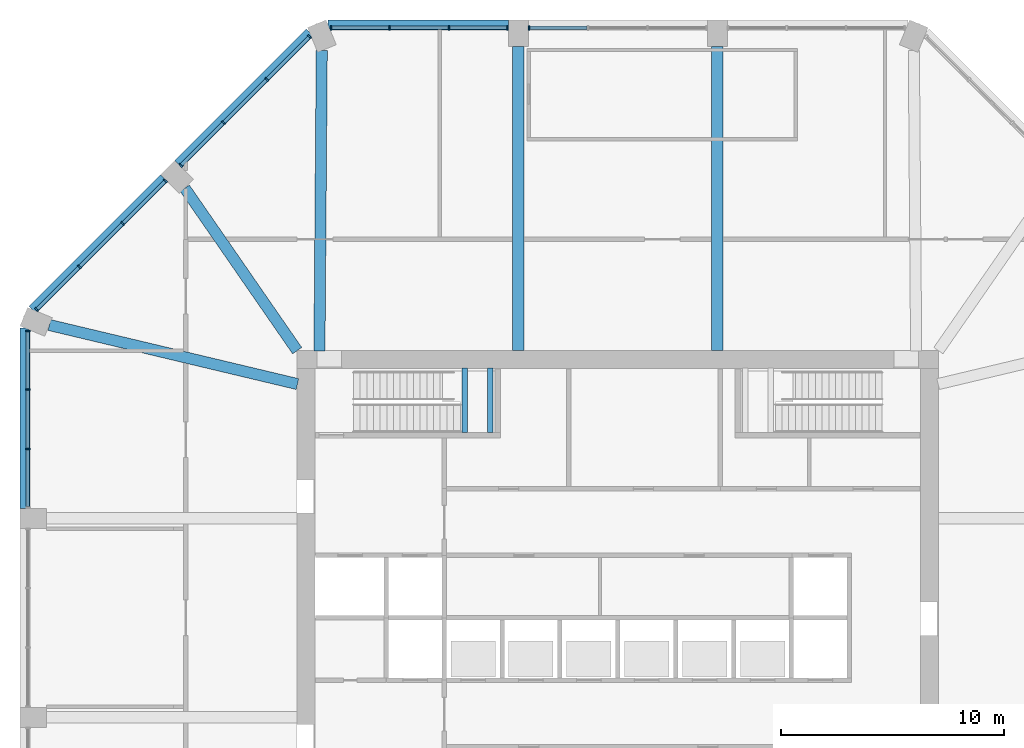
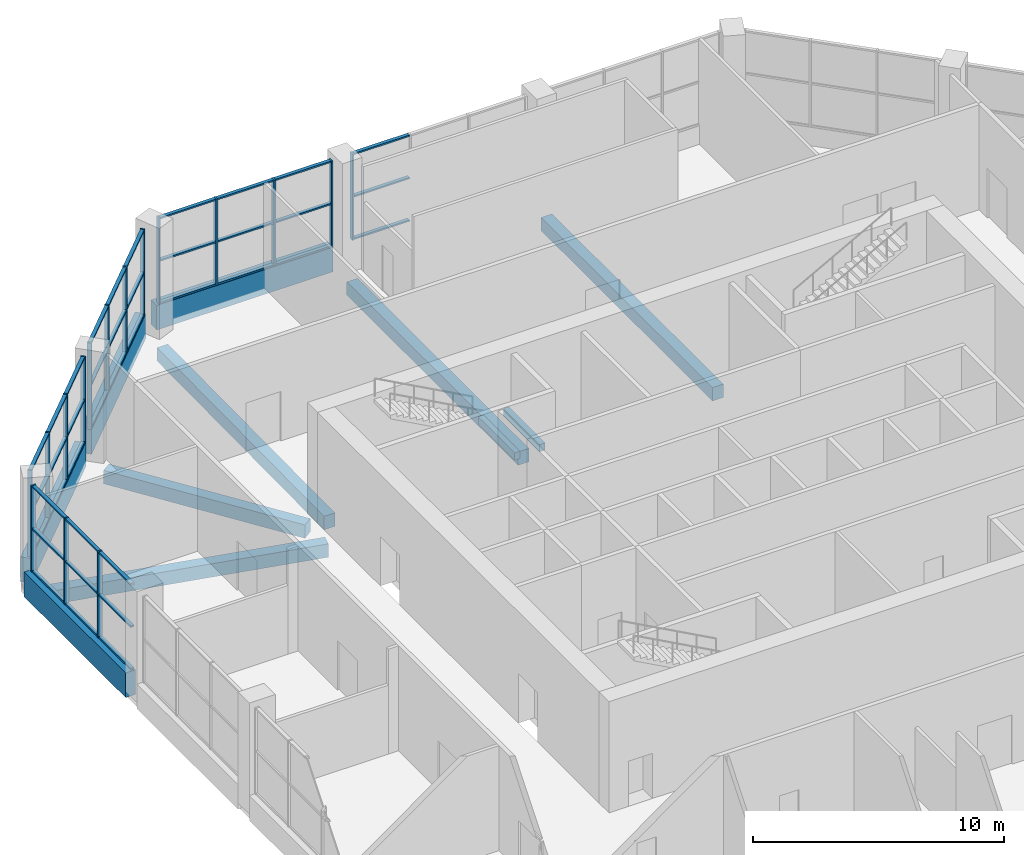
# One storey, part 6 of 16: 55 members, 11 beams, 5 elements without a shape of their own.
"""IFC4 building model written with IfcOpenShell, lengths in metres."""

from ifc_helpers import new_model, si_unit, direction, frame, origin, origin_2d, place, context, subcontext, project, spatial, rectangle, extrude, material, material_profile, profile_set, type_object, element, aggregate, save


model = new_model("IFC4")

# Units and contexts
model_context = context("Model", 3, precision=1e-05, world=origin(), true_north=direction((0.0, 1.0)))
body_context = subcontext(model_context, "Body", "Model", "MODEL_VIEW")
ifc_project = project(units=[si_unit("LENGTHUNIT", "METRE"), si_unit("AREAUNIT", "SQUARE_METRE"), si_unit("VOLUMEUNIT", "CUBIC_METRE"), si_unit("PLANEANGLEUNIT", "RADIAN"), si_unit("MASSUNIT", "GRAM", prefix="KILO")], contexts=[model_context])

# Site, building, storey
site_placement = place(None, origin())
site = spatial("IfcSite", under=ifc_project, at=site_placement, CompositionType="ELEMENT")
building_placement = place(site_placement, origin())
building = spatial("IfcBuilding", under=site, at=building_placement, Name="Msitu Wima Residences", CompositionType="ELEMENT")
storey_placement = place(building_placement, frame((0.0, 0.0, 156.89990234375)))
storey = spatial("IfcBuildingStorey", under=building, at=storey_placement, Name="L36", CompositionType="ELEMENT", Elevation=156.89990234375)

# Beams
ifc_material_1 = material(Name="Concrete C50/60", Category="concrete")
ifc_material_profile_1 = material_profile(ifc_material_1, rectangle(XDim=0.5, YDim=0.64990234375, at=origin_2d()), Name="RC 500x650")
ifc_profile_set_1 = profile_set([ifc_material_profile_1], Name="Concrete C50/60")
beam_type_1 = type_object("IfcBeamType", Name="Beam RC 500x650 Concrete C50/60", PredefinedType="BEAM", material=ifc_profile_set_1)
for number, where, z_axis, x_axis, name in (
    (1, (4.46875, 25.64990234375, -0.724853515625), (0.0, -1.0, 0.0), (1.0, 0.0, 0.0), "Beam L36 C-N1"),
    (2, (-4.46875, 25.64990234375, -0.724853515625), (0.0, -1.0, 0.0), (1.0, 0.0, 0.0), "Beam L36 C-N2"),
):
    element("IfcBeam", number, at=place(storey_placement, frame(where, z_axis=z_axis, x_axis=x_axis)), inside=storey, type_object=beam_type_1, Name=name, PredefinedType="BEAM", context=body_context, shape_type="SweptSolid", body=[
        extrude(rectangle(XDim=0.5, YDim=0.64990234375, at=origin_2d()), origin(), (0.0, 0.0, 1.0), 13.64990234375),
    ])
beam_1_placement = place(storey_placement, frame((-13.29638671875, 25.471923828125, -0.724853515625), z_axis=(-0.007694865426, -0.999970394085, 0.0), x_axis=(0.999970394085, -0.007694865426, 0.0)))
element("IfcBeam", 3, at=beam_1_placement, inside=storey, type_object=beam_type_1, Name="Beam L36 C-NW0", PredefinedType="BEAM", context=body_context, shape_type="SweptSolid", body=[
    extrude(rectangle(XDim=0.5, YDim=0.64990234375, at=origin_2d()), origin(), (0.0, 0.0, 1.0), 13.484375),
])
beam_2_placement = place(storey_placement, frame((-19.44970703125, 19.29541015625, -0.724853515625), z_axis=(0.569144158363, -0.822237755763, 0.0), x_axis=(0.822237755763, 0.569144158363, 0.0)))
element("IfcBeam", 4, at=beam_2_placement, inside=storey, type_object=beam_type_1, Name="Beam L36 C-NW1", PredefinedType="BEAM", context=body_context, shape_type="SweptSolid", body=[
    extrude(rectangle(XDim=0.5, YDim=0.64990234375, at=origin_2d()), origin(), (0.0, 0.0, 1.0), 8.87255859375),
])
beam_3_placement = place(storey_placement, frame((-25.5322265625, 13.150634765625, -0.724853515625), z_axis=(0.972805528659, -0.231623408598, 0.0), x_axis=(0.231623408598, 0.972805528659, 0.0)))
element("IfcBeam", 5, at=beam_3_placement, inside=storey, type_object=beam_type_1, Name="Beam L36 C-W0", PredefinedType="BEAM", context=body_context, shape_type="SweptSolid", body=[
    extrude(rectangle(XDim=0.5, YDim=0.64990234375, at=origin_2d()), origin(), (0.0, 0.0, 1.0), 11.455322265625),
])
ifc_material_2 = material(Name="Concrete C40/50", Category="concrete")
ifc_material_profile_2 = material_profile(ifc_material_2, rectangle(XDim=0.25, YDim=0.35009765625, at=origin_2d()), Name="RC 250x350")
ifc_profile_set_2 = profile_set([ifc_material_profile_2], Name="Concrete C40/50")
beam_type_2 = type_object("IfcBeamType", Name="Landing beam RC 250x350", PredefinedType="BEAM", material=ifc_profile_set_2)
for number, where, z_axis, x_axis, name in (
    (6, (-6.875, 8.324951171875, 2.406982421875), (0.0, 1.0, 0.0), (-1.0, 0.0, 0.0), "Stair 1 landing beam"),
    (7, (-5.72509765625, 8.324951171875, 2.406982421875), (0.0, 1.0, 0.0), (-1.0, 0.0, 0.0), "Stair 1 landing beam"),
):
    element("IfcBeam", number, at=place(storey_placement, frame(where, z_axis=z_axis, x_axis=x_axis)), inside=storey, type_object=beam_type_2, Name=name, PredefinedType="BEAM", context=body_context, shape_type="SweptSolid", body=[
        extrude(rectangle(XDim=0.25, YDim=0.35009765625, at=origin_2d()), origin(), (0.0, 0.0, 1.0), 2.900146484375),
    ])

# Curtain wall, member
ifc_material_3 = material(Name="Anodised aluminium, bronze finish, solar control laminated double glazing", Category="aluminium")
curtain_wall_type = type_object("IfcCurtainWallType", Name="Curtain wall CW2 sky amenity wall", PredefinedType="NOTDEFINED", material=ifc_material_3)
curtain_wall_1_placement = place(storey_placement, origin())
curtain_wall_1 = element("IfcCurtainWall", 8, at=curtain_wall_1_placement, inside=storey, type_object=curtain_wall_type, Name="Curtain wall CW2 L36 N1", PredefinedType="NOTDEFINED")
ifc_material_4 = material(Name="Anodised aluminium, bronze finish", Category="aluminium")
ifc_material_profile_3 = material_profile(ifc_material_4, rectangle(XDim=0.199951171875, YDim=0.074951171875, at=origin_2d()), Name="Mullion 75x200")
ifc_profile_set_3 = profile_set([ifc_material_profile_3], Name="Anodised aluminium, bronze finish")
member_type_1 = type_object("IfcMemberType", Name="Mullion CW2 75x200", PredefinedType="MULLION", material=ifc_profile_set_3)
member_1_placement = place(storey_placement, frame((-3.981201171875, 26.5, 0.900146484375), z_axis=(0.0, 0.0, 1.0), x_axis=(0.0, -1.0, 0.0)))
member_1 = element("IfcMember", 9, at=member_1_placement, type_object=member_type_1, Name="CW2 mullion 4", PredefinedType="MULLION", context=body_context, shape_type="SweptSolid", body=[
    extrude(rectangle(XDim=0.199951171875, YDim=0.074951171875, at=origin_2d()), origin(), (0.0, 0.0, 1.0), 4.199951171875),
])

# Curtain wall, members
curtain_wall_2_placement = place(storey_placement, origin())
curtain_wall_2 = element("IfcCurtainWall", 10, at=curtain_wall_2_placement, inside=storey, type_object=curtain_wall_type, Name="Curtain wall CW2 L36 N2", PredefinedType="NOTDEFINED")
member_2_placement = place(storey_placement, frame((-4.9560546875, 26.5, 0.900146484375), z_axis=(0.0, 0.0, 1.0), x_axis=(0.0, -1.0, 0.0)))
member_2 = element("IfcMember", 11, at=member_2_placement, type_object=member_type_1, Name="CW2 mullion 1", PredefinedType="MULLION", context=body_context, shape_type="SweptSolid", body=[
    extrude(rectangle(XDim=0.199951171875, YDim=0.074951171875, at=origin_2d()), origin(), (0.0, 0.0, 1.0), 4.199951171875),
])
member_3_placement = place(storey_placement, frame((-7.58544921875, 26.5, 0.900146484375), z_axis=(0.0, 0.0, 1.0), x_axis=(0.0, -1.0, 0.0)))
member_3 = element("IfcMember", 12, at=member_3_placement, type_object=member_type_1, Name="CW2 mullion 2", PredefinedType="MULLION", context=body_context, shape_type="SweptSolid", body=[
    extrude(rectangle(XDim=0.199951171875, YDim=0.074951171875, at=origin_2d()), origin(), (0.0, 0.0, 1.0), 4.199951171875),
])
member_4_placement = place(storey_placement, frame((-10.252197265625, 26.5, 0.900146484375), z_axis=(0.0, 0.0, 1.0), x_axis=(0.0, -1.0, 0.0)))
member_4 = element("IfcMember", 13, at=member_4_placement, type_object=member_type_1, Name="CW2 mullion 3", PredefinedType="MULLION", context=body_context, shape_type="SweptSolid", body=[
    extrude(rectangle(XDim=0.199951171875, YDim=0.074951171875, at=origin_2d()), origin(), (0.0, 0.0, 1.0), 4.199951171875),
])
member_5_placement = place(storey_placement, frame((-12.88134765625, 26.5, 0.900146484375), z_axis=(0.0, 0.0, 1.0), x_axis=(0.0, -1.0, 0.0)))
member_5 = element("IfcMember", 14, at=member_5_placement, type_object=member_type_1, Name="CW2 mullion 4", PredefinedType="MULLION", context=body_context, shape_type="SweptSolid", body=[
    extrude(rectangle(XDim=0.199951171875, YDim=0.074951171875, at=origin_2d()), origin(), (0.0, 0.0, 1.0), 4.199951171875),
])

curtain_wall_3_placement = place(storey_placement, origin())
curtain_wall_3 = element("IfcCurtainWall", 15, at=curtain_wall_3_placement, inside=storey, type_object=curtain_wall_type, Name="Curtain wall CW2 L36 NW0", PredefinedType="NOTDEFINED")
member_6_placement = place(storey_placement, frame((-13.847412109375, 26.099853515625, 0.900146484375), z_axis=(0.0, 0.0, 1.0), x_axis=(0.707106720591, -0.707106841783, 0.0)))
member_6 = element("IfcMember", 16, at=member_6_placement, type_object=member_type_1, Name="CW2 mullion 1", PredefinedType="MULLION", context=body_context, shape_type="SweptSolid", body=[
    extrude(rectangle(XDim=0.199951171875, YDim=0.074951171875, at=origin_2d()), origin(), (0.0, 0.0, 1.0), 4.199951171875),
])
member_7_placement = place(storey_placement, frame((-15.765869140625, 24.181396484375, 0.900146484375), z_axis=(0.0, 0.0, 1.0), x_axis=(0.707106720591, -0.707106841783, 0.0)))
member_7 = element("IfcMember", 17, at=member_7_placement, type_object=member_type_1, Name="CW2 mullion 2", PredefinedType="MULLION", context=body_context, shape_type="SweptSolid", body=[
    extrude(rectangle(XDim=0.199951171875, YDim=0.074951171875, at=origin_2d()), origin(), (0.0, 0.0, 1.0), 4.199951171875),
])
member_8_placement = place(storey_placement, frame((-17.710693359375, 22.236572265625, 0.900146484375), z_axis=(0.0, 0.0, 1.0), x_axis=(0.707106720591, -0.707106841783, 0.0)))
member_8 = element("IfcMember", 18, at=member_8_placement, type_object=member_type_1, Name="CW2 mullion 3", PredefinedType="MULLION", context=body_context, shape_type="SweptSolid", body=[
    extrude(rectangle(XDim=0.199951171875, YDim=0.074951171875, at=origin_2d()), origin(), (0.0, 0.0, 1.0), 4.199951171875),
])
member_9_placement = place(storey_placement, frame((-19.62890625, 20.318359375, 0.900146484375), z_axis=(0.0, 0.0, 1.0), x_axis=(0.707106720591, -0.707106841783, 0.0)))
member_9 = element("IfcMember", 19, at=member_9_placement, type_object=member_type_1, Name="CW2 mullion 4", PredefinedType="MULLION", context=body_context, shape_type="SweptSolid", body=[
    extrude(rectangle(XDim=0.199951171875, YDim=0.074951171875, at=origin_2d()), origin(), (0.0, 0.0, 1.0), 4.199951171875),
])

curtain_wall_4_placement = place(storey_placement, origin())
curtain_wall_4 = element("IfcCurtainWall", 20, at=curtain_wall_4_placement, inside=storey, type_object=curtain_wall_type, Name="Curtain wall CW2 L36 NW1", PredefinedType="NOTDEFINED")
member_10_placement = place(storey_placement, frame((-20.318359375, 19.62890625, 0.900146484375), z_axis=(0.0, 0.0, 1.0), x_axis=(0.707106781187, -0.707106781187, 0.0)))
member_10 = element("IfcMember", 21, at=member_10_placement, type_object=member_type_1, Name="CW2 mullion 1", PredefinedType="MULLION", context=body_context, shape_type="SweptSolid", body=[
    extrude(rectangle(XDim=0.199951171875, YDim=0.074951171875, at=origin_2d()), origin(), (0.0, 0.0, 1.0), 4.199951171875),
])
member_11_placement = place(storey_placement, frame((-22.236572265625, 17.710693359375, 0.900146484375), z_axis=(0.0, 0.0, 1.0), x_axis=(0.707106781187, -0.707106781187, 0.0)))
member_11 = element("IfcMember", 22, at=member_11_placement, type_object=member_type_1, Name="CW2 mullion 2", PredefinedType="MULLION", context=body_context, shape_type="SweptSolid", body=[
    extrude(rectangle(XDim=0.199951171875, YDim=0.074951171875, at=origin_2d()), origin(), (0.0, 0.0, 1.0), 4.199951171875),
])
member_12_placement = place(storey_placement, frame((-24.181396484375, 15.765869140625, 0.900146484375), z_axis=(0.0, 0.0, 1.0), x_axis=(0.707106781187, -0.707106781187, 0.0)))
member_12 = element("IfcMember", 23, at=member_12_placement, type_object=member_type_1, Name="CW2 mullion 3", PredefinedType="MULLION", context=body_context, shape_type="SweptSolid", body=[
    extrude(rectangle(XDim=0.199951171875, YDim=0.074951171875, at=origin_2d()), origin(), (0.0, 0.0, 1.0), 4.199951171875),
])
member_13_placement = place(storey_placement, frame((-26.099853515625, 13.847412109375, 0.900146484375), z_axis=(0.0, 0.0, 1.0), x_axis=(0.707106781187, -0.707106781187, 0.0)))
member_13 = element("IfcMember", 24, at=member_13_placement, type_object=member_type_1, Name="CW2 mullion 4", PredefinedType="MULLION", context=body_context, shape_type="SweptSolid", body=[
    extrude(rectangle(XDim=0.199951171875, YDim=0.074951171875, at=origin_2d()), origin(), (0.0, 0.0, 1.0), 4.199951171875),
])

curtain_wall_5_placement = place(storey_placement, origin())
curtain_wall_5 = element("IfcCurtainWall", 25, at=curtain_wall_5_placement, inside=storey, type_object=curtain_wall_type, Name="Curtain wall CW2 L36 W0", PredefinedType="NOTDEFINED")
member_14_placement = place(storey_placement, frame((-26.5, 12.88134765625, 0.900146484375), z_axis=(0.0, 0.0, 1.0), x_axis=(1.0, 0.0, 0.0)))
member_14 = element("IfcMember", 26, at=member_14_placement, type_object=member_type_1, Name="CW2 mullion 1", PredefinedType="MULLION", context=body_context, shape_type="SweptSolid", body=[
    extrude(rectangle(XDim=0.199951171875, YDim=0.074951171875, at=origin_2d()), origin(), (0.0, 0.0, 1.0), 4.199951171875),
])
member_15_placement = place(storey_placement, frame((-26.5, 10.252197265625, 0.900146484375), z_axis=(0.0, 0.0, 1.0), x_axis=(1.0, 0.0, 0.0)))
member_15 = element("IfcMember", 27, at=member_15_placement, type_object=member_type_1, Name="CW2 mullion 2", PredefinedType="MULLION", context=body_context, shape_type="SweptSolid", body=[
    extrude(rectangle(XDim=0.199951171875, YDim=0.074951171875, at=origin_2d()), origin(), (0.0, 0.0, 1.0), 4.199951171875),
])
member_16_placement = place(storey_placement, frame((-26.5, 7.58544921875, 0.900146484375), z_axis=(0.0, 0.0, 1.0), x_axis=(1.0, 0.0, 0.0)))
member_16 = element("IfcMember", 28, at=member_16_placement, type_object=member_type_1, Name="CW2 mullion 3", PredefinedType="MULLION", context=body_context, shape_type="SweptSolid", body=[
    extrude(rectangle(XDim=0.199951171875, YDim=0.074951171875, at=origin_2d()), origin(), (0.0, 0.0, 1.0), 4.199951171875),
])

# Beams
ifc_material_profile_4 = material_profile(ifc_material_1, rectangle(XDim=0.449951171875, YDim=1.199951171875, at=origin_2d()), Name="RC 450x1200")
ifc_profile_set_4 = profile_set([ifc_material_profile_4], Name="Concrete C50/60")
beam_type_3 = type_object("IfcBeamType", Name="Spandrel RC 450x1200 Concrete C50/60", PredefinedType="SPANDREL", material=ifc_profile_set_4)
beam_4_placement = place(storey_placement, frame((-4.918701171875, 26.625, 0.300048828125), z_axis=(-1.0, 0.0, 0.0), x_axis=(0.0, -1.0, 0.0)))
element("IfcBeam", 29, at=beam_4_placement, inside=storey, type_object=beam_type_3, Name="Spandrel L36 N2", PredefinedType="SPANDREL", context=body_context, shape_type="SweptSolid", body=[
    extrude(rectangle(XDim=0.449951171875, YDim=1.199951171875, at=origin_2d()), origin(), (0.0, 0.0, 1.0), 8.105224609375),
])
for number, where, z_axis, x_axis, name in (
    (30, (-13.8349609375, 26.2890625, 0.300048828125), (-0.707106781187, -0.707106781187, 0.0), (0.707106781187, -0.707106781187, 0.0), "Spandrel L36 NW0"),
    (31, (-20.380126953125, 19.743896484375, 0.300048828125), (-0.707106781187, -0.707106781187, 0.0), (0.707106781187, -0.707106781187, 0.0), "Spandrel L36 NW1"),
):
    element("IfcBeam", number, at=place(storey_placement, frame(where, z_axis=z_axis, x_axis=x_axis)), inside=storey, type_object=beam_type_3, Name=name, PredefinedType="SPANDREL", context=body_context, shape_type="SweptSolid", body=[
        extrude(rectangle(XDim=0.449951171875, YDim=1.199951171875, at=origin_2d()), origin(), (0.0, 0.0, 1.0), 8.3564453125),
    ])
beam_5_placement = place(storey_placement, frame((-26.625, 13.02392578125, 0.300048828125), z_axis=(0.0, -1.0, 0.0), x_axis=(1.0, 0.0, 0.0)))
element("IfcBeam", 32, at=beam_5_placement, inside=storey, type_object=beam_type_3, Name="Spandrel L36 W0", PredefinedType="SPANDREL", context=body_context, shape_type="SweptSolid", body=[
    extrude(rectangle(XDim=0.449951171875, YDim=1.199951171875, at=origin_2d()), origin(), (0.0, 0.0, 1.0), 8.105224609375),
])

# Member
ifc_material_profile_5 = material_profile(ifc_material_4, rectangle(XDim=0.159912109375, YDim=0.074951171875, at=origin_2d()), Name="Transom 75x160")
ifc_profile_set_5 = profile_set([ifc_material_profile_5], Name="Anodised aluminium, bronze finish")
member_type_2 = type_object("IfcMemberType", Name="Transom CW2 75x160", PredefinedType="USERDEFINED", material=ifc_profile_set_5)
member_17_placement = place(storey_placement, frame((-1.376953125, 26.5, 0.9375), z_axis=(-1.0, 0.0, 0.0), x_axis=(0.0, -1.0, 0.0)))
member_17 = element("IfcMember", 33, at=member_17_placement, type_object=member_type_2, Name="CW2 transom 3.1", ObjectType="TRANSOM", PredefinedType="USERDEFINED", context=body_context, shape_type="SweptSolid", body=[
    extrude(rectangle(XDim=0.159912109375, YDim=0.074951171875, at=origin_2d()), origin(), (0.0, 0.0, 1.0), 2.566650390625),
])

member_18_placement = place(storey_placement, frame((-1.376953125, 26.5, 3.0), z_axis=(-1.0, 0.0, 0.0), x_axis=(0.0, -1.0, 0.0)))
member_18 = element("IfcMember", 34, at=member_18_placement, type_object=member_type_2, Name="CW2 transom 3.2", ObjectType="TRANSOM", PredefinedType="USERDEFINED", context=body_context, shape_type="SweptSolid", body=[
    extrude(rectangle(XDim=0.159912109375, YDim=0.074951171875, at=origin_2d()), origin(), (0.0, 0.0, 1.0), 2.566650390625),
])

member_19_placement = place(storey_placement, frame((-1.376953125, 26.5, 5.0625), z_axis=(-1.0, 0.0, 0.0), x_axis=(0.0, -1.0, 0.0)))
member_19 = element("IfcMember", 35, at=member_19_placement, type_object=member_type_2, Name="CW2 transom 3.3", ObjectType="TRANSOM", PredefinedType="USERDEFINED", context=body_context, shape_type="SweptSolid", body=[
    extrude(rectangle(XDim=0.159912109375, YDim=0.074951171875, at=origin_2d()), origin(), (0.0, 0.0, 1.0), 2.566650390625),
])

aggregate(curtain_wall_1, [member_1, member_17, member_18, member_19])

member_20_placement = place(storey_placement, frame((-4.99365234375, 26.5, 0.9375), z_axis=(-1.0, 0.0, 0.0), x_axis=(0.0, -1.0, 0.0)))
member_20 = element("IfcMember", 36, at=member_20_placement, type_object=member_type_2, Name="CW2 transom 1.1", ObjectType="TRANSOM", PredefinedType="USERDEFINED", context=body_context, shape_type="SweptSolid", body=[
    extrude(rectangle(XDim=0.159912109375, YDim=0.074951171875, at=origin_2d()), origin(), (0.0, 0.0, 1.0), 2.55419921875),
])

member_21_placement = place(storey_placement, frame((-4.99365234375, 26.5, 3.0), z_axis=(-1.0, 0.0, 0.0), x_axis=(0.0, -1.0, 0.0)))
member_21 = element("IfcMember", 37, at=member_21_placement, type_object=member_type_2, Name="CW2 transom 1.2", ObjectType="TRANSOM", PredefinedType="USERDEFINED", context=body_context, shape_type="SweptSolid", body=[
    extrude(rectangle(XDim=0.159912109375, YDim=0.074951171875, at=origin_2d()), origin(), (0.0, 0.0, 1.0), 2.55419921875),
])

member_22_placement = place(storey_placement, frame((-4.99365234375, 26.5, 5.0625), z_axis=(-1.0, 0.0, 0.0), x_axis=(0.0, -1.0, 0.0)))
member_22 = element("IfcMember", 38, at=member_22_placement, type_object=member_type_2, Name="CW2 transom 1.3", ObjectType="TRANSOM", PredefinedType="USERDEFINED", context=body_context, shape_type="SweptSolid", body=[
    extrude(rectangle(XDim=0.159912109375, YDim=0.074951171875, at=origin_2d()), origin(), (0.0, 0.0, 1.0), 2.55419921875),
])

member_23_placement = place(storey_placement, frame((-7.622802734375, 26.5, 0.9375), z_axis=(-1.0, 0.0, 0.0), x_axis=(0.0, -1.0, 0.0)))
member_23 = element("IfcMember", 39, at=member_23_placement, type_object=member_type_2, Name="CW2 transom 2.1", ObjectType="TRANSOM", PredefinedType="USERDEFINED", context=body_context, shape_type="SweptSolid", body=[
    extrude(rectangle(XDim=0.159912109375, YDim=0.074951171875, at=origin_2d()), origin(), (0.0, 0.0, 1.0), 2.591796875),
])

member_24_placement = place(storey_placement, frame((-7.622802734375, 26.5, 3.0), z_axis=(-1.0, 0.0, 0.0), x_axis=(0.0, -1.0, 0.0)))
member_24 = element("IfcMember", 40, at=member_24_placement, type_object=member_type_2, Name="CW2 transom 2.2", ObjectType="TRANSOM", PredefinedType="USERDEFINED", context=body_context, shape_type="SweptSolid", body=[
    extrude(rectangle(XDim=0.159912109375, YDim=0.074951171875, at=origin_2d()), origin(), (0.0, 0.0, 1.0), 2.591796875),
])

member_25_placement = place(storey_placement, frame((-7.622802734375, 26.5, 5.0625), z_axis=(-1.0, 0.0, 0.0), x_axis=(0.0, -1.0, 0.0)))
member_25 = element("IfcMember", 41, at=member_25_placement, type_object=member_type_2, Name="CW2 transom 2.3", ObjectType="TRANSOM", PredefinedType="USERDEFINED", context=body_context, shape_type="SweptSolid", body=[
    extrude(rectangle(XDim=0.159912109375, YDim=0.074951171875, at=origin_2d()), origin(), (0.0, 0.0, 1.0), 2.591796875),
])

member_26_placement = place(storey_placement, frame((-10.28955078125, 26.5, 0.9375), z_axis=(-1.0, 0.0, 0.0), x_axis=(0.0, -1.0, 0.0)))
member_26 = element("IfcMember", 42, at=member_26_placement, type_object=member_type_2, Name="CW2 transom 3.1", ObjectType="TRANSOM", PredefinedType="USERDEFINED", context=body_context, shape_type="SweptSolid", body=[
    extrude(rectangle(XDim=0.159912109375, YDim=0.074951171875, at=origin_2d()), origin(), (0.0, 0.0, 1.0), 2.55419921875),
])

member_27_placement = place(storey_placement, frame((-10.28955078125, 26.5, 3.0), z_axis=(-1.0, 0.0, 0.0), x_axis=(0.0, -1.0, 0.0)))
member_27 = element("IfcMember", 43, at=member_27_placement, type_object=member_type_2, Name="CW2 transom 3.2", ObjectType="TRANSOM", PredefinedType="USERDEFINED", context=body_context, shape_type="SweptSolid", body=[
    extrude(rectangle(XDim=0.159912109375, YDim=0.074951171875, at=origin_2d()), origin(), (0.0, 0.0, 1.0), 2.55419921875),
])

member_28_placement = place(storey_placement, frame((-10.28955078125, 26.5, 5.0625), z_axis=(-1.0, 0.0, 0.0), x_axis=(0.0, -1.0, 0.0)))
member_28 = element("IfcMember", 44, at=member_28_placement, type_object=member_type_2, Name="CW2 transom 3.3", ObjectType="TRANSOM", PredefinedType="USERDEFINED", context=body_context, shape_type="SweptSolid", body=[
    extrude(rectangle(XDim=0.159912109375, YDim=0.074951171875, at=origin_2d()), origin(), (0.0, 0.0, 1.0), 2.55419921875),
])

aggregate(curtain_wall_2, [member_2, member_3, member_4, member_5, member_20, member_21, member_22, member_23, member_24, member_25, member_26, member_27, member_28])

member_29_placement = place(storey_placement, frame((-13.8740234375, 26.0732421875, 0.9375), z_axis=(-0.707106781187, -0.707106781187, 0.0), x_axis=(0.707106781187, -0.707106781187, 0.0)))
member_29 = element("IfcMember", 45, at=member_29_placement, type_object=member_type_2, Name="CW2 transom 1.1", ObjectType="TRANSOM", PredefinedType="USERDEFINED", context=body_context, shape_type="SweptSolid", body=[
    extrude(rectangle(XDim=0.159912109375, YDim=0.074951171875, at=origin_2d()), origin(), (0.0, 0.0, 1.0), 2.637939453125),
])

member_30_placement = place(storey_placement, frame((-13.8740234375, 26.0732421875, 3.0), z_axis=(-0.707106781187, -0.707106781187, 0.0), x_axis=(0.707106781187, -0.707106781187, 0.0)))
member_30 = element("IfcMember", 46, at=member_30_placement, type_object=member_type_2, Name="CW2 transom 1.2", ObjectType="TRANSOM", PredefinedType="USERDEFINED", context=body_context, shape_type="SweptSolid", body=[
    extrude(rectangle(XDim=0.159912109375, YDim=0.074951171875, at=origin_2d()), origin(), (0.0, 0.0, 1.0), 2.637939453125),
])

member_31_placement = place(storey_placement, frame((-13.8740234375, 26.0732421875, 5.0625), z_axis=(-0.707106781187, -0.707106781187, 0.0), x_axis=(0.707106781187, -0.707106781187, 0.0)))
member_31 = element("IfcMember", 47, at=member_31_placement, type_object=member_type_2, Name="CW2 transom 1.3", ObjectType="TRANSOM", PredefinedType="USERDEFINED", context=body_context, shape_type="SweptSolid", body=[
    extrude(rectangle(XDim=0.159912109375, YDim=0.074951171875, at=origin_2d()), origin(), (0.0, 0.0, 1.0), 2.637939453125),
])

member_32_placement = place(storey_placement, frame((-15.792236328125, 24.155029296875, 0.9375), z_axis=(-0.707106781187, -0.707106781187, 0.0), x_axis=(0.707106781187, -0.707106781187, 0.0)))
member_32 = element("IfcMember", 48, at=member_32_placement, type_object=member_type_2, Name="CW2 transom 2.1", ObjectType="TRANSOM", PredefinedType="USERDEFINED", context=body_context, shape_type="SweptSolid", body=[
    extrude(rectangle(XDim=0.159912109375, YDim=0.074951171875, at=origin_2d()), origin(), (0.0, 0.0, 1.0), 2.675537109375),
])

member_33_placement = place(storey_placement, frame((-15.792236328125, 24.155029296875, 3.0), z_axis=(-0.707106781187, -0.707106781187, 0.0), x_axis=(0.707106781187, -0.707106781187, 0.0)))
member_33 = element("IfcMember", 49, at=member_33_placement, type_object=member_type_2, Name="CW2 transom 2.2", ObjectType="TRANSOM", PredefinedType="USERDEFINED", context=body_context, shape_type="SweptSolid", body=[
    extrude(rectangle(XDim=0.159912109375, YDim=0.074951171875, at=origin_2d()), origin(), (0.0, 0.0, 1.0), 2.675537109375),
])

member_34_placement = place(storey_placement, frame((-15.792236328125, 24.155029296875, 5.0625), z_axis=(-0.707106781187, -0.707106781187, 0.0), x_axis=(0.707106781187, -0.707106781187, 0.0)))
member_34 = element("IfcMember", 50, at=member_34_placement, type_object=member_type_2, Name="CW2 transom 2.3", ObjectType="TRANSOM", PredefinedType="USERDEFINED", context=body_context, shape_type="SweptSolid", body=[
    extrude(rectangle(XDim=0.159912109375, YDim=0.074951171875, at=origin_2d()), origin(), (0.0, 0.0, 1.0), 2.675537109375),
])

member_35_placement = place(storey_placement, frame((-17.737060546875, 22.210205078125, 0.9375), z_axis=(-0.707153053266, -0.707060506079, 0.0), x_axis=(0.707060506079, -0.707153053266, 0.0)))
member_35 = element("IfcMember", 51, at=member_35_placement, type_object=member_type_2, Name="CW2 transom 3.1", ObjectType="TRANSOM", PredefinedType="USERDEFINED", context=body_context, shape_type="SweptSolid", body=[
    extrude(rectangle(XDim=0.159912109375, YDim=0.074951171875, at=origin_2d()), origin(), (0.0, 0.0, 1.0), 2.637939453125),
])

member_36_placement = place(storey_placement, frame((-17.737060546875, 22.210205078125, 3.0), z_axis=(-0.707153053266, -0.707060506079, 0.0), x_axis=(0.707060506079, -0.707153053266, 0.0)))
member_36 = element("IfcMember", 52, at=member_36_placement, type_object=member_type_2, Name="CW2 transom 3.2", ObjectType="TRANSOM", PredefinedType="USERDEFINED", context=body_context, shape_type="SweptSolid", body=[
    extrude(rectangle(XDim=0.159912109375, YDim=0.074951171875, at=origin_2d()), origin(), (0.0, 0.0, 1.0), 2.637939453125),
])

member_37_placement = place(storey_placement, frame((-17.737060546875, 22.210205078125, 5.0625), z_axis=(-0.707153053266, -0.707060506079, 0.0), x_axis=(0.707060506079, -0.707153053266, 0.0)))
member_37 = element("IfcMember", 53, at=member_37_placement, type_object=member_type_2, Name="CW2 transom 3.3", ObjectType="TRANSOM", PredefinedType="USERDEFINED", context=body_context, shape_type="SweptSolid", body=[
    extrude(rectangle(XDim=0.159912109375, YDim=0.074951171875, at=origin_2d()), origin(), (0.0, 0.0, 1.0), 2.637939453125),
])

aggregate(curtain_wall_3, [member_6, member_7, member_8, member_9, member_29, member_30, member_31, member_32, member_33, member_34, member_35, member_36, member_37])

member_38_placement = place(storey_placement, frame((-20.344970703125, 19.6025390625, 0.9375), z_axis=(-0.707060506079, -0.707153053266, 0.0), x_axis=(0.707153053266, -0.707060506079, 0.0)))
member_38 = element("IfcMember", 54, at=member_38_placement, type_object=member_type_2, Name="CW2 transom 1.1", ObjectType="TRANSOM", PredefinedType="USERDEFINED", context=body_context, shape_type="SweptSolid", body=[
    extrude(rectangle(XDim=0.159912109375, YDim=0.074951171875, at=origin_2d()), origin(), (0.0, 0.0, 1.0), 2.637939453125),
])

member_39_placement = place(storey_placement, frame((-20.344970703125, 19.6025390625, 3.0), z_axis=(-0.707060506079, -0.707153053266, 0.0), x_axis=(0.707153053266, -0.707060506079, 0.0)))
member_39 = element("IfcMember", 55, at=member_39_placement, type_object=member_type_2, Name="CW2 transom 1.2", ObjectType="TRANSOM", PredefinedType="USERDEFINED", context=body_context, shape_type="SweptSolid", body=[
    extrude(rectangle(XDim=0.159912109375, YDim=0.074951171875, at=origin_2d()), origin(), (0.0, 0.0, 1.0), 2.637939453125),
])

member_40_placement = place(storey_placement, frame((-20.344970703125, 19.6025390625, 5.0625), z_axis=(-0.707060506079, -0.707153053266, 0.0), x_axis=(0.707153053266, -0.707060506079, 0.0)))
member_40 = element("IfcMember", 56, at=member_40_placement, type_object=member_type_2, Name="CW2 transom 1.3", ObjectType="TRANSOM", PredefinedType="USERDEFINED", context=body_context, shape_type="SweptSolid", body=[
    extrude(rectangle(XDim=0.159912109375, YDim=0.074951171875, at=origin_2d()), origin(), (0.0, 0.0, 1.0), 2.637939453125),
])

member_41_placement = place(storey_placement, frame((-22.26318359375, 17.68408203125, 0.9375), z_axis=(-0.707106781187, -0.707106781187, 0.0), x_axis=(0.707106781187, -0.707106781187, 0.0)))
member_41 = element("IfcMember", 57, at=member_41_placement, type_object=member_type_2, Name="CW2 transom 2.1", ObjectType="TRANSOM", PredefinedType="USERDEFINED", context=body_context, shape_type="SweptSolid", body=[
    extrude(rectangle(XDim=0.159912109375, YDim=0.074951171875, at=origin_2d()), origin(), (0.0, 0.0, 1.0), 2.675537109375),
])

member_42_placement = place(storey_placement, frame((-22.26318359375, 17.68408203125, 3.0), z_axis=(-0.707106781187, -0.707106781187, 0.0), x_axis=(0.707106781187, -0.707106781187, 0.0)))
member_42 = element("IfcMember", 58, at=member_42_placement, type_object=member_type_2, Name="CW2 transom 2.2", ObjectType="TRANSOM", PredefinedType="USERDEFINED", context=body_context, shape_type="SweptSolid", body=[
    extrude(rectangle(XDim=0.159912109375, YDim=0.074951171875, at=origin_2d()), origin(), (0.0, 0.0, 1.0), 2.675537109375),
])

member_43_placement = place(storey_placement, frame((-22.26318359375, 17.68408203125, 5.0625), z_axis=(-0.707106781187, -0.707106781187, 0.0), x_axis=(0.707106781187, -0.707106781187, 0.0)))
member_43 = element("IfcMember", 59, at=member_43_placement, type_object=member_type_2, Name="CW2 transom 2.3", ObjectType="TRANSOM", PredefinedType="USERDEFINED", context=body_context, shape_type="SweptSolid", body=[
    extrude(rectangle(XDim=0.159912109375, YDim=0.074951171875, at=origin_2d()), origin(), (0.0, 0.0, 1.0), 2.675537109375),
])

member_44_placement = place(storey_placement, frame((-24.2080078125, 15.7392578125, 0.9375), z_axis=(-0.707106781187, -0.707106781187, 0.0), x_axis=(0.707106781187, -0.707106781187, 0.0)))
member_44 = element("IfcMember", 60, at=member_44_placement, type_object=member_type_2, Name="CW2 transom 3.1", ObjectType="TRANSOM", PredefinedType="USERDEFINED", context=body_context, shape_type="SweptSolid", body=[
    extrude(rectangle(XDim=0.159912109375, YDim=0.074951171875, at=origin_2d()), origin(), (0.0, 0.0, 1.0), 2.637939453125),
])

member_45_placement = place(storey_placement, frame((-24.2080078125, 15.7392578125, 3.0), z_axis=(-0.707106781187, -0.707106781187, 0.0), x_axis=(0.707106781187, -0.707106781187, 0.0)))
member_45 = element("IfcMember", 61, at=member_45_placement, type_object=member_type_2, Name="CW2 transom 3.2", ObjectType="TRANSOM", PredefinedType="USERDEFINED", context=body_context, shape_type="SweptSolid", body=[
    extrude(rectangle(XDim=0.159912109375, YDim=0.074951171875, at=origin_2d()), origin(), (0.0, 0.0, 1.0), 2.637939453125),
])

member_46_placement = place(storey_placement, frame((-24.2080078125, 15.7392578125, 5.0625), z_axis=(-0.707106781187, -0.707106781187, 0.0), x_axis=(0.707106781187, -0.707106781187, 0.0)))
member_46 = element("IfcMember", 62, at=member_46_placement, type_object=member_type_2, Name="CW2 transom 3.3", ObjectType="TRANSOM", PredefinedType="USERDEFINED", context=body_context, shape_type="SweptSolid", body=[
    extrude(rectangle(XDim=0.159912109375, YDim=0.074951171875, at=origin_2d()), origin(), (0.0, 0.0, 1.0), 2.637939453125),
])

aggregate(curtain_wall_4, [member_10, member_11, member_12, member_13, member_38, member_39, member_40, member_41, member_42, member_43, member_44, member_45, member_46])

member_47_placement = place(storey_placement, frame((-26.5, 12.84375, 0.9375), z_axis=(0.0, -1.0, 0.0), x_axis=(1.0, 0.0, 0.0)))
member_47 = element("IfcMember", 63, at=member_47_placement, type_object=member_type_2, Name="CW2 transom 1.1", ObjectType="TRANSOM", PredefinedType="USERDEFINED", context=body_context, shape_type="SweptSolid", body=[
    extrude(rectangle(XDim=0.159912109375, YDim=0.074951171875, at=origin_2d()), origin(), (0.0, 0.0, 1.0), 2.55419921875),
])

member_48_placement = place(storey_placement, frame((-26.5, 12.84375, 3.0), z_axis=(0.0, -1.0, 0.0), x_axis=(1.0, 0.0, 0.0)))
member_48 = element("IfcMember", 64, at=member_48_placement, type_object=member_type_2, Name="CW2 transom 1.2", ObjectType="TRANSOM", PredefinedType="USERDEFINED", context=body_context, shape_type="SweptSolid", body=[
    extrude(rectangle(XDim=0.159912109375, YDim=0.074951171875, at=origin_2d()), origin(), (0.0, 0.0, 1.0), 2.55419921875),
])

member_49_placement = place(storey_placement, frame((-26.5, 12.84375, 5.0625), z_axis=(0.0, -1.0, 0.0), x_axis=(1.0, 0.0, 0.0)))
member_49 = element("IfcMember", 65, at=member_49_placement, type_object=member_type_2, Name="CW2 transom 1.3", ObjectType="TRANSOM", PredefinedType="USERDEFINED", context=body_context, shape_type="SweptSolid", body=[
    extrude(rectangle(XDim=0.159912109375, YDim=0.074951171875, at=origin_2d()), origin(), (0.0, 0.0, 1.0), 2.55419921875),
])

member_50_placement = place(storey_placement, frame((-26.5, 10.214599609375, 0.9375), z_axis=(0.0, -1.0, 0.0), x_axis=(1.0, 0.0, 0.0)))
member_50 = element("IfcMember", 66, at=member_50_placement, type_object=member_type_2, Name="CW2 transom 2.1", ObjectType="TRANSOM", PredefinedType="USERDEFINED", context=body_context, shape_type="SweptSolid", body=[
    extrude(rectangle(XDim=0.159912109375, YDim=0.074951171875, at=origin_2d()), origin(), (0.0, 0.0, 1.0), 2.591796875),
])

member_51_placement = place(storey_placement, frame((-26.5, 10.214599609375, 3.0), z_axis=(0.0, -1.0, 0.0), x_axis=(1.0, 0.0, 0.0)))
member_51 = element("IfcMember", 67, at=member_51_placement, type_object=member_type_2, Name="CW2 transom 2.2", ObjectType="TRANSOM", PredefinedType="USERDEFINED", context=body_context, shape_type="SweptSolid", body=[
    extrude(rectangle(XDim=0.159912109375, YDim=0.074951171875, at=origin_2d()), origin(), (0.0, 0.0, 1.0), 2.591796875),
])

member_52_placement = place(storey_placement, frame((-26.5, 10.214599609375, 5.0625), z_axis=(0.0, -1.0, 0.0), x_axis=(1.0, 0.0, 0.0)))
member_52 = element("IfcMember", 68, at=member_52_placement, type_object=member_type_2, Name="CW2 transom 2.3", ObjectType="TRANSOM", PredefinedType="USERDEFINED", context=body_context, shape_type="SweptSolid", body=[
    extrude(rectangle(XDim=0.159912109375, YDim=0.074951171875, at=origin_2d()), origin(), (0.0, 0.0, 1.0), 2.591796875),
])

member_53_placement = place(storey_placement, frame((-26.5, 7.5478515625, 0.9375), z_axis=(0.0, -1.0, 0.0), x_axis=(1.0, 0.0, 0.0)))
member_53 = element("IfcMember", 69, at=member_53_placement, type_object=member_type_2, Name="CW2 transom 3.1", ObjectType="TRANSOM", PredefinedType="USERDEFINED", context=body_context, shape_type="SweptSolid", body=[
    extrude(rectangle(XDim=0.159912109375, YDim=0.074951171875, at=origin_2d()), origin(), (0.0, 0.0, 1.0), 2.55419921875),
])

member_54_placement = place(storey_placement, frame((-26.5, 7.5478515625, 3.0), z_axis=(0.0, -1.0, 0.0), x_axis=(1.0, 0.0, 0.0)))
member_54 = element("IfcMember", 70, at=member_54_placement, type_object=member_type_2, Name="CW2 transom 3.2", ObjectType="TRANSOM", PredefinedType="USERDEFINED", context=body_context, shape_type="SweptSolid", body=[
    extrude(rectangle(XDim=0.159912109375, YDim=0.074951171875, at=origin_2d()), origin(), (0.0, 0.0, 1.0), 2.55419921875),
])

member_55_placement = place(storey_placement, frame((-26.5, 7.5478515625, 5.0625), z_axis=(0.0, -1.0, 0.0), x_axis=(1.0, 0.0, 0.0)))
member_55 = element("IfcMember", 71, at=member_55_placement, type_object=member_type_2, Name="CW2 transom 3.3", ObjectType="TRANSOM", PredefinedType="USERDEFINED", context=body_context, shape_type="SweptSolid", body=[
    extrude(rectangle(XDim=0.159912109375, YDim=0.074951171875, at=origin_2d()), origin(), (0.0, 0.0, 1.0), 2.55419921875),
])

aggregate(curtain_wall_5, [member_14, member_15, member_16, member_47, member_48, member_49, member_50, member_51, member_52, member_53, member_54, member_55])

save(model, "model.ifc")
